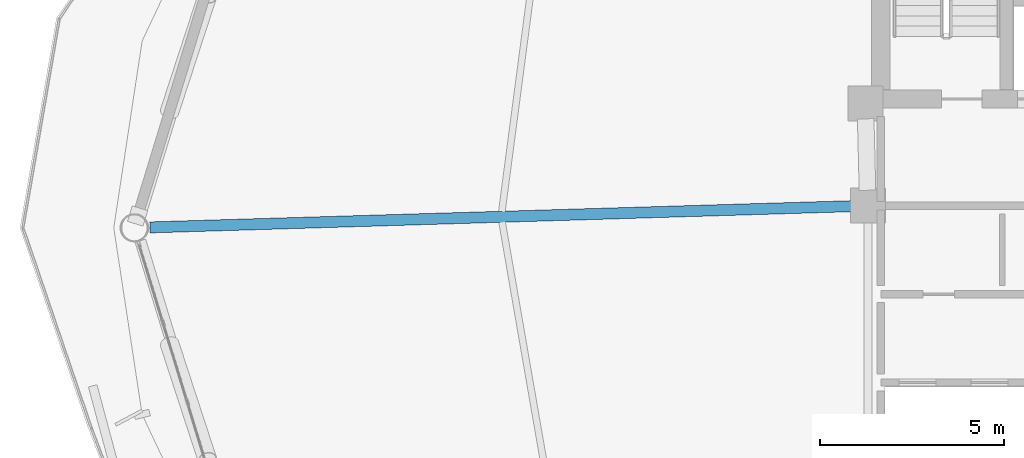
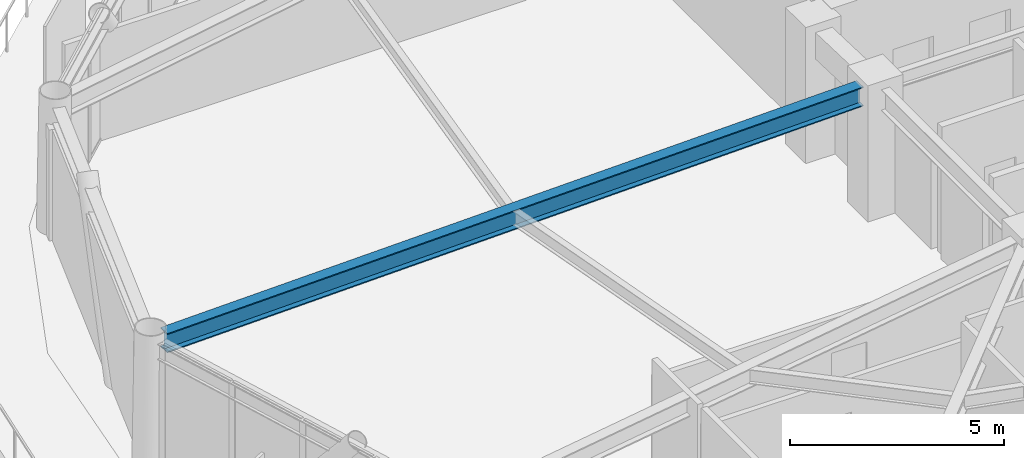
# One storey, part 9 of 23: 1 beam.
"""IFC4 building model written with IfcOpenShell, lengths in metres."""

from ifc_helpers import new_model, si_unit, direction, frame, origin, origin_2d, place, context, subcontext, project, spatial, i_section, extrude, material, material_profile, profile_set, type_object, element, save


model = new_model("IFC4")

# Units and contexts
model_context = context("Model", 3, precision=1e-05, world=origin(), true_north=direction((0.0, 1.0)))
body_context = subcontext(model_context, "Body", "Model", "MODEL_VIEW")
ifc_project = project(units=[si_unit("LENGTHUNIT", "METRE"), si_unit("AREAUNIT", "SQUARE_METRE"), si_unit("VOLUMEUNIT", "CUBIC_METRE"), si_unit("PLANEANGLEUNIT", "RADIAN"), si_unit("MASSUNIT", "GRAM", prefix="KILO")], contexts=[model_context])

# Site, building, storey
site_placement = place(None, origin())
site = spatial("IfcSite", under=ifc_project, at=site_placement, CompositionType="ELEMENT")
building_placement = place(site_placement, origin())
building = spatial("IfcBuilding", under=site, at=building_placement, Name="Varnakorn Sky Granary", CompositionType="ELEMENT")
storey_placement = place(building_placement, frame((0.0, 0.0, 150.0)))
storey = spatial("IfcBuildingStorey", under=building, at=storey_placement, Name="L37", CompositionType="ELEMENT", Elevation=150.0)

# Beam
ifc_material = material(Name="Steel S355JR", Category="steel")
ifc_material_profile = material_profile(ifc_material, i_section(OverallWidth=0.300048828125, OverallDepth=0.550048828125, WebThickness=0.014892578125, FlangeThickness=0.029052734375, at=origin_2d()), Name="HE 550 B")
ifc_profile_set = profile_set([ifc_material_profile], Name="Steel S355JR")
beam_type = type_object("IfcBeamType", Name="BM-RAD-Z3", PredefinedType="BEAM", material=ifc_profile_set)
beam_placement = place(storey_placement, frame((-2.769775390625, 0.58740234375, 3.364990234375), z_axis=(-0.999544049182, -0.030194266743, 0.0), x_axis=(0.030194266743, -0.999544049182, 0.0)))
element("IfcBeam", 1, at=beam_placement, inside=storey, type_object=beam_type, Name="Radial Floor Girder RG07 L37", PredefinedType="BEAM", context=body_context, shape_type="SweptSolid", body=[
    extrude(i_section(OverallWidth=0.300048828125, OverallDepth=0.550048828125, WebThickness=0.014892578125, FlangeThickness=0.029052734375, at=origin_2d()), origin(), (0.0, 0.0, 1.0), 19.09033203125),
])

save(model, "model.ifc")
